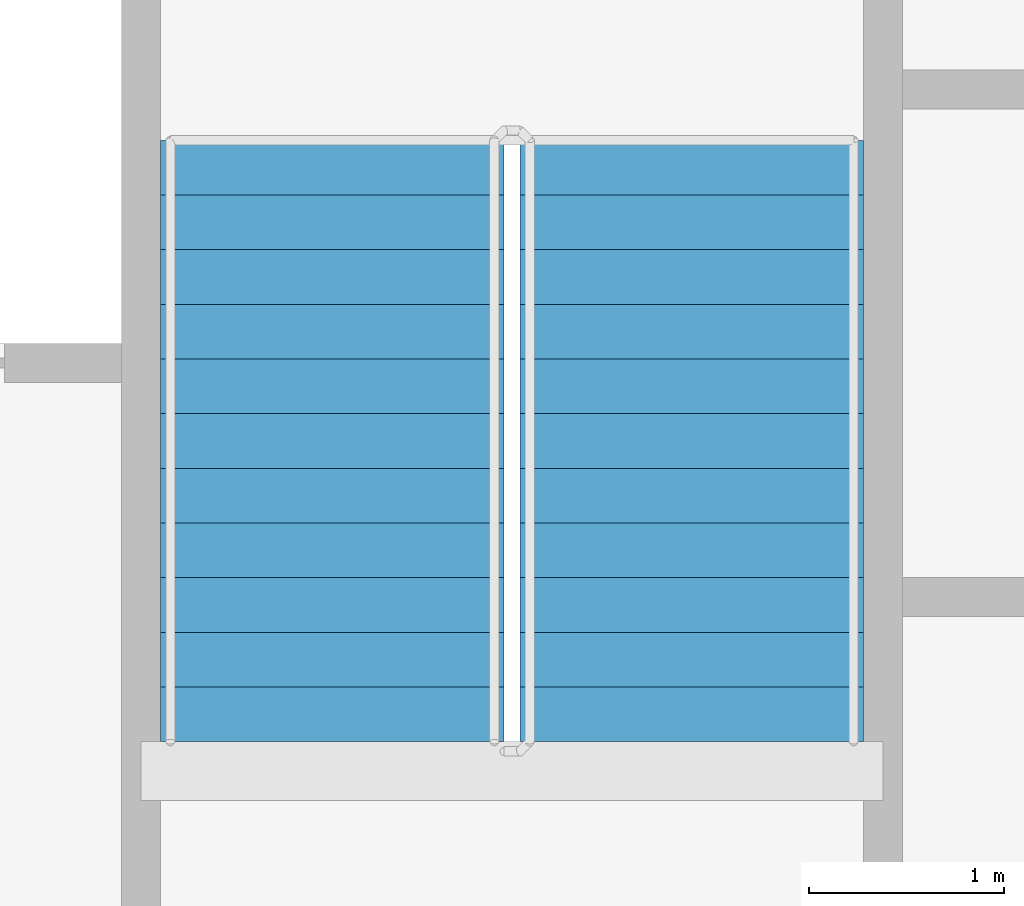
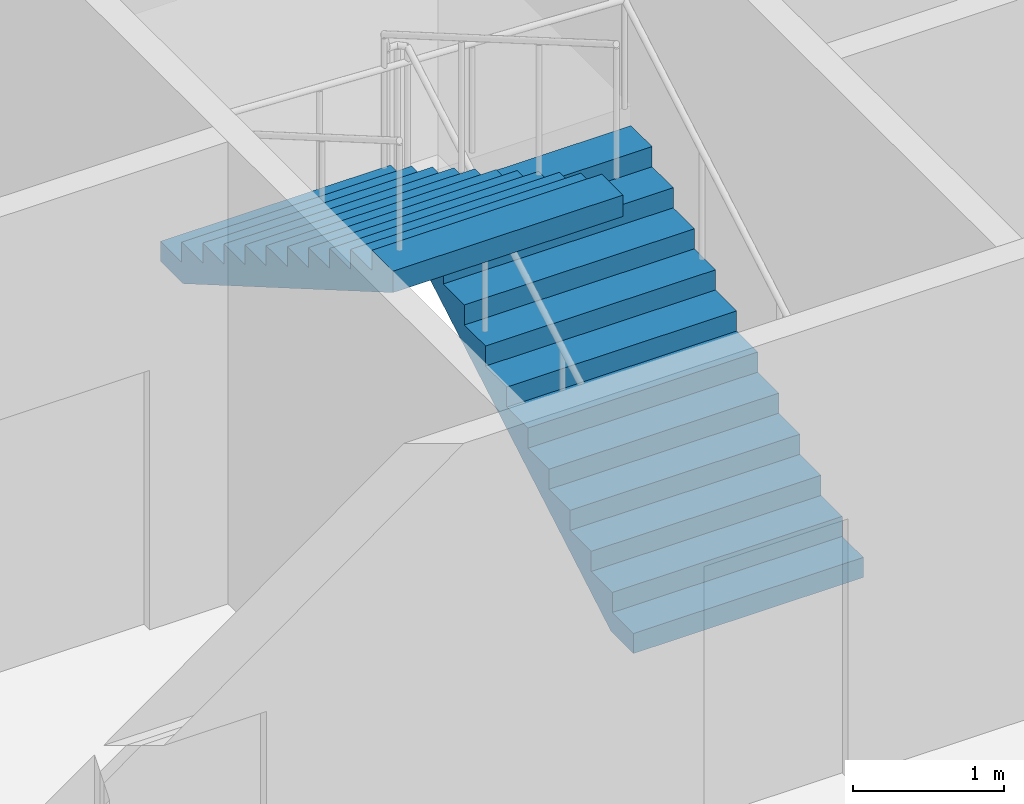
# One storey, part 16 of 21: 2 stair flights, 1 element without a shape of its own.
"""IFC4 building model written with IfcOpenShell, lengths in metres."""

from ifc_helpers import new_model, si_unit, direction, frame, origin, place, context, subcontext, project, spatial, faceted_brep, material, type_object, element, aggregate, save


model = new_model("IFC4")

# Units and contexts
model_context = context("Model", 3, precision=1e-05, world=origin(), true_north=direction((0.0, 1.0)))
body_context = subcontext(model_context, "Body", "Model", "MODEL_VIEW")
ifc_project = project(units=[si_unit("LENGTHUNIT", "METRE"), si_unit("AREAUNIT", "SQUARE_METRE"), si_unit("VOLUMEUNIT", "CUBIC_METRE"), si_unit("PLANEANGLEUNIT", "RADIAN"), si_unit("MASSUNIT", "GRAM", prefix="KILO")], contexts=[model_context])

# Site, building, storey
site_placement = place(None, origin())
site = spatial("IfcSite", under=ifc_project, at=site_placement, CompositionType="ELEMENT")
building_placement = place(site_placement, origin())
building = spatial("IfcBuilding", under=site, at=building_placement, Name="Tarsis Ring Headquarters", CompositionType="ELEMENT")
storey_placement = place(building_placement, frame((0.0, 0.0, 47.800048828125)))
storey = spatial("IfcBuildingStorey", under=building, at=storey_placement, Name="L09", CompositionType="ELEMENT", Elevation=47.800048828125)

# Stair, stair flights
ifc_material_1 = material(Name="Core stair 1760")
stair_type = type_object("IfcStairType", Name="Core stair 1760", PredefinedType="HALF_TURN_STAIR", material=ifc_material_1)
stair_placement = place(storey_placement, origin())
stair = element("IfcStair", 1, at=stair_placement, inside=storey, type_object=stair_type, Name="L09 Exit stair B", PredefinedType="HALF_TURN_STAIR")
ifc_material_2 = material(Name="Concrete C40/50", Category="concrete")
stair_flight_type = type_object("IfcStairFlightType", Name="Core stair flight 1760", PredefinedType="STRAIGHT", material=ifc_material_2)
stair_flight_1_placement = place(storey_placement, frame((5.419921875, 3.659912109375, 0.0), z_axis=(0.0, 0.0, 1.0), x_axis=(0.0, 1.0, 0.0)))
stair_flight_1 = element("IfcStairFlight", 2, at=stair_flight_1_placement, type_object=stair_flight_type, Name="Stair ST2 flight 1", NumberOfRisers=12, NumberOfTreads=11, PredefinedType="STRAIGHT", RiserHeight=0.1625, TreadLength=0.28, context=body_context, shape_type="Brep", body=[
    faceted_brep([(0.0, 0.8798828125, 0.0), (0.0, 0.8798828125, 0.16259765625), (0.280029296875, 0.8798828125, 0.16259765625), (0.280029296875, 0.8798828125, 0.324951171875), (0.56005859375, 0.8798828125, 0.324951171875), (0.56005859375, 0.8798828125, 0.487548828125), (0.840087890625, 0.8798828125, 0.487548828125), (0.840087890625, 0.8798828125, 0.64990234375), (1.1201171875, 0.8798828125, 0.64990234375), (1.1201171875, 0.8798828125, 0.8125), (1.39990234375, 0.8798828125, 0.8125), (1.39990234375, 0.8798828125, 0.97509765625), (1.679931640625, 0.8798828125, 0.97509765625), (1.679931640625, 0.8798828125, 1.137451171875), (1.9599609375, 0.8798828125, 1.137451171875), (1.9599609375, 0.8798828125, 1.300048828125), (2.239990234375, 0.8798828125, 1.300048828125), (2.239990234375, 0.8798828125, 1.46240234375), (2.52001953125, 0.8798828125, 1.46240234375), (2.52001953125, 0.8798828125, 1.625), (2.800048828125, 0.8798828125, 1.625), (2.800048828125, 0.8798828125, 1.78759765625), (3.080078125, 0.8798828125, 1.78759765625), (3.080078125, 0.8798828125, 1.6142578125), (0.298583984375, 0.8798828125, 0.0), (0.298583984375, -0.8798828125, 0.0), (3.080078125, -0.8798828125, 1.6142578125), (3.080078125, -0.8798828125, 1.78759765625), (2.800048828125, -0.8798828125, 1.78759765625), (2.800048828125, -0.8798828125, 1.625), (2.52001953125, -0.8798828125, 1.625), (2.52001953125, -0.8798828125, 1.46240234375), (2.239990234375, -0.8798828125, 1.46240234375), (2.239990234375, -0.8798828125, 1.300048828125), (1.9599609375, -0.8798828125, 1.300048828125), (1.9599609375, -0.8798828125, 1.137451171875), (1.679931640625, -0.8798828125, 1.137451171875), (1.679931640625, -0.8798828125, 0.97509765625), (1.39990234375, -0.8798828125, 0.97509765625), (1.39990234375, -0.8798828125, 0.8125), (1.1201171875, -0.8798828125, 0.8125), (1.1201171875, -0.8798828125, 0.64990234375), (0.840087890625, -0.8798828125, 0.64990234375), (0.840087890625, -0.8798828125, 0.487548828125), (0.56005859375, -0.8798828125, 0.487548828125), (0.56005859375, -0.8798828125, 0.324951171875), (0.280029296875, -0.8798828125, 0.324951171875), (0.280029296875, -0.8798828125, 0.16259765625), (0.0, -0.8798828125, 0.16259765625), (0.0, -0.8798828125, 0.0), (0.0, -0.43994140625, 0.16259765625), (0.0, -0.43994140625, 0.0), (0.0, 0.0, 0.16259765625), (0.0, 0.0, 0.0), (0.0, 0.43994140625, 0.16259765625), (0.0, 0.43994140625, 0.0), (0.280029296875, -0.43994140625, 0.16259765625), (0.280029296875, 0.0, 0.16259765625), (0.280029296875, 0.43994140625, 0.16259765625), (0.280029296875, -0.43994140625, 0.324951171875), (0.280029296875, 0.0, 0.324951171875), (0.280029296875, 0.43994140625, 0.324951171875), (0.56005859375, -0.43994140625, 0.324951171875), (0.56005859375, 0.0, 0.324951171875), (0.56005859375, 0.43994140625, 0.324951171875), (0.56005859375, -0.43994140625, 0.487548828125), (0.56005859375, 0.0, 0.487548828125), (0.56005859375, 0.43994140625, 0.487548828125), (0.840087890625, -0.43994140625, 0.487548828125), (0.840087890625, 0.0, 0.487548828125), (0.840087890625, 0.43994140625, 0.487548828125), (0.840087890625, -0.43994140625, 0.64990234375), (0.840087890625, 0.0, 0.64990234375), (0.840087890625, 0.43994140625, 0.64990234375), (1.1201171875, -0.43994140625, 0.64990234375), (1.1201171875, 0.0, 0.64990234375), (1.1201171875, 0.43994140625, 0.64990234375), (1.1201171875, -0.43994140625, 0.8125), (1.1201171875, 0.0, 0.8125), (1.1201171875, 0.43994140625, 0.8125), (1.39990234375, -0.43994140625, 0.8125), (1.39990234375, 0.0, 0.8125), (1.39990234375, 0.43994140625, 0.8125), (1.39990234375, -0.43994140625, 0.97509765625), (1.39990234375, 0.0, 0.97509765625), (1.39990234375, 0.43994140625, 0.97509765625), (1.679931640625, -0.43994140625, 0.97509765625), (1.679931640625, 0.0, 0.97509765625), (1.679931640625, 0.43994140625, 0.97509765625), (1.679931640625, -0.43994140625, 1.137451171875), (1.679931640625, 0.0, 1.137451171875), (1.679931640625, 0.43994140625, 1.137451171875), (1.9599609375, -0.43994140625, 1.137451171875), (1.9599609375, 0.0, 1.137451171875), (1.9599609375, 0.43994140625, 1.137451171875), (1.9599609375, -0.43994140625, 1.300048828125), (1.9599609375, 0.0, 1.300048828125), (1.9599609375, 0.43994140625, 1.300048828125), (2.239990234375, -0.43994140625, 1.300048828125), (2.239990234375, 0.0, 1.300048828125), (2.239990234375, 0.43994140625, 1.300048828125), (2.239990234375, -0.43994140625, 1.46240234375), (2.239990234375, 0.0, 1.46240234375), (2.239990234375, 0.43994140625, 1.46240234375), (2.52001953125, -0.43994140625, 1.46240234375), (2.52001953125, 0.0, 1.46240234375), (2.52001953125, 0.43994140625, 1.46240234375), (2.52001953125, -0.43994140625, 1.625), (2.52001953125, 0.0, 1.625), (2.52001953125, 0.43994140625, 1.625), (2.800048828125, -0.43994140625, 1.625), (2.800048828125, 0.0, 1.625), (2.800048828125, 0.43994140625, 1.625), (2.800048828125, -0.43994140625, 1.78759765625), (2.800048828125, 0.0, 1.78759765625), (2.800048828125, 0.43994140625, 1.78759765625), (3.080078125, -0.43994140625, 1.78759765625), (3.080078125, 0.0, 1.78759765625), (3.080078125, 0.43994140625, 1.78759765625), (3.080078125, -0.43994140625, 1.6142578125), (3.080078125, 0.0, 1.6142578125), (3.080078125, 0.43994140625, 1.6142578125), (0.298583984375, -0.43994140625, 0.0), (0.298583984375, 0.0, 0.0), (0.298583984375, 0.43994140625, 0.0)], [[[0, 1, 2, 3, 4, 5, 6, 7, 8, 9, 10, 11, 12, 13, 14, 15, 16, 17, 18, 19, 20, 21, 22, 23, 24]], [[25, 26, 27, 28, 29, 30, 31, 32, 33, 34, 35, 36, 37, 38, 39, 40, 41, 42, 43, 44, 45, 46, 47, 48, 49]], [[49, 48, 50, 51]], [[51, 50, 52, 53]], [[53, 52, 54, 55]], [[55, 54, 1, 0]], [[48, 47, 56, 50]], [[50, 56, 57, 52]], [[52, 57, 58, 54]], [[54, 58, 2, 1]], [[47, 46, 59, 56]], [[56, 59, 60, 57]], [[57, 60, 61, 58]], [[58, 61, 3, 2]], [[46, 45, 62, 59]], [[59, 62, 63, 60]], [[60, 63, 64, 61]], [[61, 64, 4, 3]], [[45, 44, 65, 62]], [[62, 65, 66, 63]], [[63, 66, 67, 64]], [[64, 67, 5, 4]], [[44, 43, 68, 65]], [[65, 68, 69, 66]], [[66, 69, 70, 67]], [[67, 70, 6, 5]], [[43, 42, 71, 68]], [[68, 71, 72, 69]], [[69, 72, 73, 70]], [[70, 73, 7, 6]], [[42, 41, 74, 71]], [[71, 74, 75, 72]], [[72, 75, 76, 73]], [[73, 76, 8, 7]], [[41, 40, 77, 74]], [[74, 77, 78, 75]], [[75, 78, 79, 76]], [[76, 79, 9, 8]], [[40, 39, 80, 77]], [[77, 80, 81, 78]], [[78, 81, 82, 79]], [[79, 82, 10, 9]], [[39, 38, 83, 80]], [[80, 83, 84, 81]], [[81, 84, 85, 82]], [[82, 85, 11, 10]], [[38, 37, 86, 83]], [[83, 86, 87, 84]], [[84, 87, 88, 85]], [[85, 88, 12, 11]], [[37, 36, 89, 86]], [[86, 89, 90, 87]], [[87, 90, 91, 88]], [[88, 91, 13, 12]], [[36, 35, 92, 89]], [[89, 92, 93, 90]], [[90, 93, 94, 91]], [[91, 94, 14, 13]], [[35, 34, 95, 92]], [[92, 95, 96, 93]], [[93, 96, 97, 94]], [[94, 97, 15, 14]], [[34, 33, 98, 95]], [[95, 98, 99, 96]], [[96, 99, 100, 97]], [[97, 100, 16, 15]], [[33, 32, 101, 98]], [[98, 101, 102, 99]], [[99, 102, 103, 100]], [[100, 103, 17, 16]], [[32, 31, 104, 101]], [[101, 104, 105, 102]], [[102, 105, 106, 103]], [[103, 106, 18, 17]], [[31, 30, 107, 104]], [[104, 107, 108, 105]], [[105, 108, 109, 106]], [[106, 109, 19, 18]], [[30, 29, 110, 107]], [[107, 110, 111, 108]], [[108, 111, 112, 109]], [[109, 112, 20, 19]], [[29, 28, 113, 110]], [[110, 113, 114, 111]], [[111, 114, 115, 112]], [[112, 115, 21, 20]], [[28, 27, 116, 113]], [[113, 116, 117, 114]], [[114, 117, 118, 115]], [[115, 118, 22, 21]], [[27, 26, 119, 116]], [[116, 119, 120, 117]], [[117, 120, 121, 118]], [[118, 121, 23, 22]], [[26, 25, 122, 119]], [[119, 122, 123, 120]], [[120, 123, 124, 121]], [[121, 124, 24, 23]], [[25, 49, 51, 122]], [[122, 51, 53, 123]], [[123, 53, 55, 124]], [[124, 55, 0, 24]]]),
])
stair_flight_2_placement = place(storey_placement, frame((3.580078125, 6.739990234375, 1.949951171875), z_axis=(0.0, 0.0, 1.0), x_axis=(0.0, -1.0, 0.0)))
stair_flight_2 = element("IfcStairFlight", 3, at=stair_flight_2_placement, type_object=stair_flight_type, Name="Stair ST2 flight 2", NumberOfRisers=12, NumberOfTreads=11, PredefinedType="STRAIGHT", RiserHeight=0.1625, TreadLength=0.28, context=body_context, shape_type="Brep", body=[
    faceted_brep([(0.0, 0.8798828125, 0.0), (0.0, 0.8798828125, 0.16259765625), (0.280029296875, 0.8798828125, 0.16259765625), (0.280029296875, 0.8798828125, 0.324951171875), (0.56005859375, 0.8798828125, 0.324951171875), (0.56005859375, 0.8798828125, 0.487548828125), (0.840087890625, 0.8798828125, 0.487548828125), (0.840087890625, 0.8798828125, 0.64990234375), (1.1201171875, 0.8798828125, 0.64990234375), (1.1201171875, 0.8798828125, 0.8125), (1.39990234375, 0.8798828125, 0.8125), (1.39990234375, 0.8798828125, 0.97509765625), (1.679931640625, 0.8798828125, 0.97509765625), (1.679931640625, 0.8798828125, 1.137451171875), (1.9599609375, 0.8798828125, 1.137451171875), (1.9599609375, 0.8798828125, 1.300048828125), (2.239990234375, 0.8798828125, 1.300048828125), (2.239990234375, 0.8798828125, 1.46240234375), (2.52001953125, 0.8798828125, 1.46240234375), (2.52001953125, 0.8798828125, 1.625), (2.800048828125, 0.8798828125, 1.625), (2.800048828125, 0.8798828125, 1.78759765625), (3.080078125, 0.8798828125, 1.78759765625), (3.080078125, 0.8798828125, 1.6142578125), (0.298583984375, 0.8798828125, 0.0), (0.298583984375, -0.8798828125, 0.0), (3.080078125, -0.8798828125, 1.6142578125), (3.080078125, -0.8798828125, 1.78759765625), (2.800048828125, -0.8798828125, 1.78759765625), (2.800048828125, -0.8798828125, 1.625), (2.52001953125, -0.8798828125, 1.625), (2.52001953125, -0.8798828125, 1.46240234375), (2.239990234375, -0.8798828125, 1.46240234375), (2.239990234375, -0.8798828125, 1.300048828125), (1.9599609375, -0.8798828125, 1.300048828125), (1.9599609375, -0.8798828125, 1.137451171875), (1.679931640625, -0.8798828125, 1.137451171875), (1.679931640625, -0.8798828125, 0.97509765625), (1.39990234375, -0.8798828125, 0.97509765625), (1.39990234375, -0.8798828125, 0.8125), (1.1201171875, -0.8798828125, 0.8125), (1.1201171875, -0.8798828125, 0.64990234375), (0.840087890625, -0.8798828125, 0.64990234375), (0.840087890625, -0.8798828125, 0.487548828125), (0.56005859375, -0.8798828125, 0.487548828125), (0.56005859375, -0.8798828125, 0.324951171875), (0.280029296875, -0.8798828125, 0.324951171875), (0.280029296875, -0.8798828125, 0.16259765625), (0.0, -0.8798828125, 0.16259765625), (0.0, -0.8798828125, 0.0), (0.0, -0.43994140625, 0.16259765625), (0.0, -0.43994140625, 0.0), (0.0, 0.0, 0.16259765625), (0.0, 0.0, 0.0), (0.0, 0.43994140625, 0.16259765625), (0.0, 0.43994140625, 0.0), (0.280029296875, -0.43994140625, 0.16259765625), (0.280029296875, 0.0, 0.16259765625), (0.280029296875, 0.43994140625, 0.16259765625), (0.280029296875, -0.43994140625, 0.324951171875), (0.280029296875, 0.0, 0.324951171875), (0.280029296875, 0.43994140625, 0.324951171875), (0.56005859375, -0.43994140625, 0.324951171875), (0.56005859375, 0.0, 0.324951171875), (0.56005859375, 0.43994140625, 0.324951171875), (0.56005859375, -0.43994140625, 0.487548828125), (0.56005859375, 0.0, 0.487548828125), (0.56005859375, 0.43994140625, 0.487548828125), (0.840087890625, -0.43994140625, 0.487548828125), (0.840087890625, 0.0, 0.487548828125), (0.840087890625, 0.43994140625, 0.487548828125), (0.840087890625, -0.43994140625, 0.64990234375), (0.840087890625, 0.0, 0.64990234375), (0.840087890625, 0.43994140625, 0.64990234375), (1.1201171875, -0.43994140625, 0.64990234375), (1.1201171875, 0.0, 0.64990234375), (1.1201171875, 0.43994140625, 0.64990234375), (1.1201171875, -0.43994140625, 0.8125), (1.1201171875, 0.0, 0.8125), (1.1201171875, 0.43994140625, 0.8125), (1.39990234375, -0.43994140625, 0.8125), (1.39990234375, 0.0, 0.8125), (1.39990234375, 0.43994140625, 0.8125), (1.39990234375, -0.43994140625, 0.97509765625), (1.39990234375, 0.0, 0.97509765625), (1.39990234375, 0.43994140625, 0.97509765625), (1.679931640625, -0.43994140625, 0.97509765625), (1.679931640625, 0.0, 0.97509765625), (1.679931640625, 0.43994140625, 0.97509765625), (1.679931640625, -0.43994140625, 1.137451171875), (1.679931640625, 0.0, 1.137451171875), (1.679931640625, 0.43994140625, 1.137451171875), (1.9599609375, -0.43994140625, 1.137451171875), (1.9599609375, 0.0, 1.137451171875), (1.9599609375, 0.43994140625, 1.137451171875), (1.9599609375, -0.43994140625, 1.300048828125), (1.9599609375, 0.0, 1.300048828125), (1.9599609375, 0.43994140625, 1.300048828125), (2.239990234375, -0.43994140625, 1.300048828125), (2.239990234375, 0.0, 1.300048828125), (2.239990234375, 0.43994140625, 1.300048828125), (2.239990234375, -0.43994140625, 1.46240234375), (2.239990234375, 0.0, 1.46240234375), (2.239990234375, 0.43994140625, 1.46240234375), (2.52001953125, -0.43994140625, 1.46240234375), (2.52001953125, 0.0, 1.46240234375), (2.52001953125, 0.43994140625, 1.46240234375), (2.52001953125, -0.43994140625, 1.625), (2.52001953125, 0.0, 1.625), (2.52001953125, 0.43994140625, 1.625), (2.800048828125, -0.43994140625, 1.625), (2.800048828125, 0.0, 1.625), (2.800048828125, 0.43994140625, 1.625), (2.800048828125, -0.43994140625, 1.78759765625), (2.800048828125, 0.0, 1.78759765625), (2.800048828125, 0.43994140625, 1.78759765625), (3.080078125, -0.43994140625, 1.78759765625), (3.080078125, 0.0, 1.78759765625), (3.080078125, 0.43994140625, 1.78759765625), (3.080078125, -0.43994140625, 1.6142578125), (3.080078125, 0.0, 1.6142578125), (3.080078125, 0.43994140625, 1.6142578125), (0.298583984375, -0.43994140625, 0.0), (0.298583984375, 0.0, 0.0), (0.298583984375, 0.43994140625, 0.0)], [[[0, 1, 2, 3, 4, 5, 6, 7, 8, 9, 10, 11, 12, 13, 14, 15, 16, 17, 18, 19, 20, 21, 22, 23, 24]], [[25, 26, 27, 28, 29, 30, 31, 32, 33, 34, 35, 36, 37, 38, 39, 40, 41, 42, 43, 44, 45, 46, 47, 48, 49]], [[49, 48, 50, 51]], [[51, 50, 52, 53]], [[53, 52, 54, 55]], [[55, 54, 1, 0]], [[48, 47, 56, 50]], [[50, 56, 57, 52]], [[52, 57, 58, 54]], [[54, 58, 2, 1]], [[47, 46, 59, 56]], [[56, 59, 60, 57]], [[57, 60, 61, 58]], [[58, 61, 3, 2]], [[46, 45, 62, 59]], [[59, 62, 63, 60]], [[60, 63, 64, 61]], [[61, 64, 4, 3]], [[45, 44, 65, 62]], [[62, 65, 66, 63]], [[63, 66, 67, 64]], [[64, 67, 5, 4]], [[44, 43, 68, 65]], [[65, 68, 69, 66]], [[66, 69, 70, 67]], [[67, 70, 6, 5]], [[43, 42, 71, 68]], [[68, 71, 72, 69]], [[69, 72, 73, 70]], [[70, 73, 7, 6]], [[42, 41, 74, 71]], [[71, 74, 75, 72]], [[72, 75, 76, 73]], [[73, 76, 8, 7]], [[41, 40, 77, 74]], [[74, 77, 78, 75]], [[75, 78, 79, 76]], [[76, 79, 9, 8]], [[40, 39, 80, 77]], [[77, 80, 81, 78]], [[78, 81, 82, 79]], [[79, 82, 10, 9]], [[39, 38, 83, 80]], [[80, 83, 84, 81]], [[81, 84, 85, 82]], [[82, 85, 11, 10]], [[38, 37, 86, 83]], [[83, 86, 87, 84]], [[84, 87, 88, 85]], [[85, 88, 12, 11]], [[37, 36, 89, 86]], [[86, 89, 90, 87]], [[87, 90, 91, 88]], [[88, 91, 13, 12]], [[36, 35, 92, 89]], [[89, 92, 93, 90]], [[90, 93, 94, 91]], [[91, 94, 14, 13]], [[35, 34, 95, 92]], [[92, 95, 96, 93]], [[93, 96, 97, 94]], [[94, 97, 15, 14]], [[34, 33, 98, 95]], [[95, 98, 99, 96]], [[96, 99, 100, 97]], [[97, 100, 16, 15]], [[33, 32, 101, 98]], [[98, 101, 102, 99]], [[99, 102, 103, 100]], [[100, 103, 17, 16]], [[32, 31, 104, 101]], [[101, 104, 105, 102]], [[102, 105, 106, 103]], [[103, 106, 18, 17]], [[31, 30, 107, 104]], [[104, 107, 108, 105]], [[105, 108, 109, 106]], [[106, 109, 19, 18]], [[30, 29, 110, 107]], [[107, 110, 111, 108]], [[108, 111, 112, 109]], [[109, 112, 20, 19]], [[29, 28, 113, 110]], [[110, 113, 114, 111]], [[111, 114, 115, 112]], [[112, 115, 21, 20]], [[28, 27, 116, 113]], [[113, 116, 117, 114]], [[114, 117, 118, 115]], [[115, 118, 22, 21]], [[27, 26, 119, 116]], [[116, 119, 120, 117]], [[117, 120, 121, 118]], [[118, 121, 23, 22]], [[26, 25, 122, 119]], [[119, 122, 123, 120]], [[120, 123, 124, 121]], [[121, 124, 24, 23]], [[25, 49, 51, 122]], [[122, 51, 53, 123]], [[123, 53, 55, 124]], [[124, 55, 0, 24]]]),
])
aggregate(stair, [stair_flight_1, stair_flight_2])

save(model, "model.ifc")
